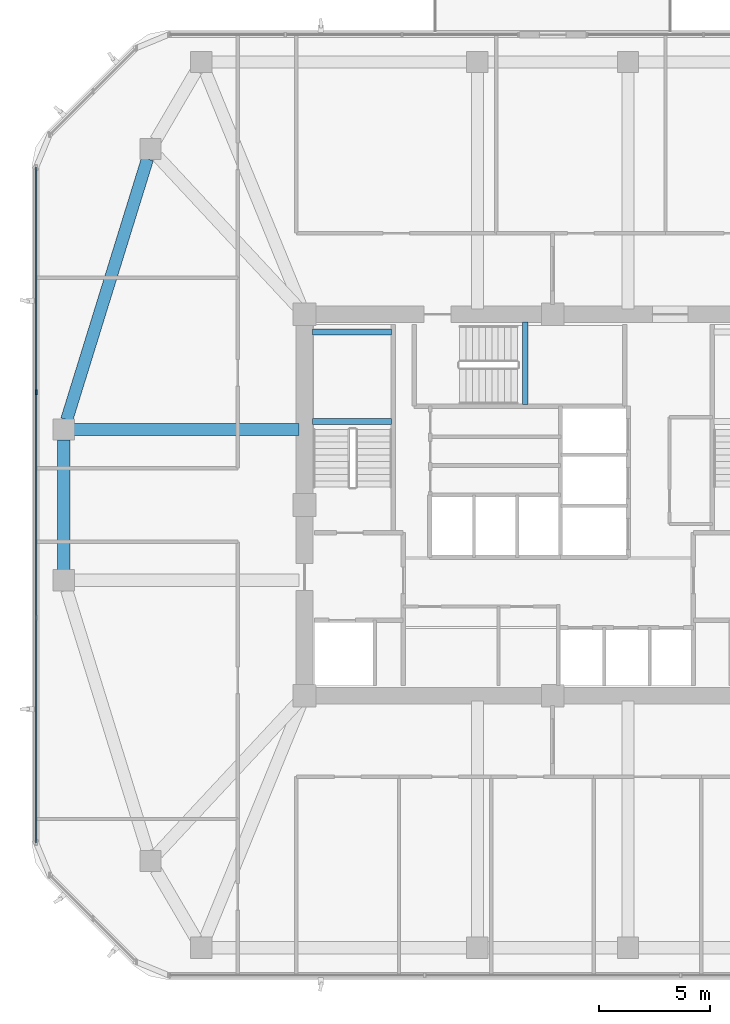
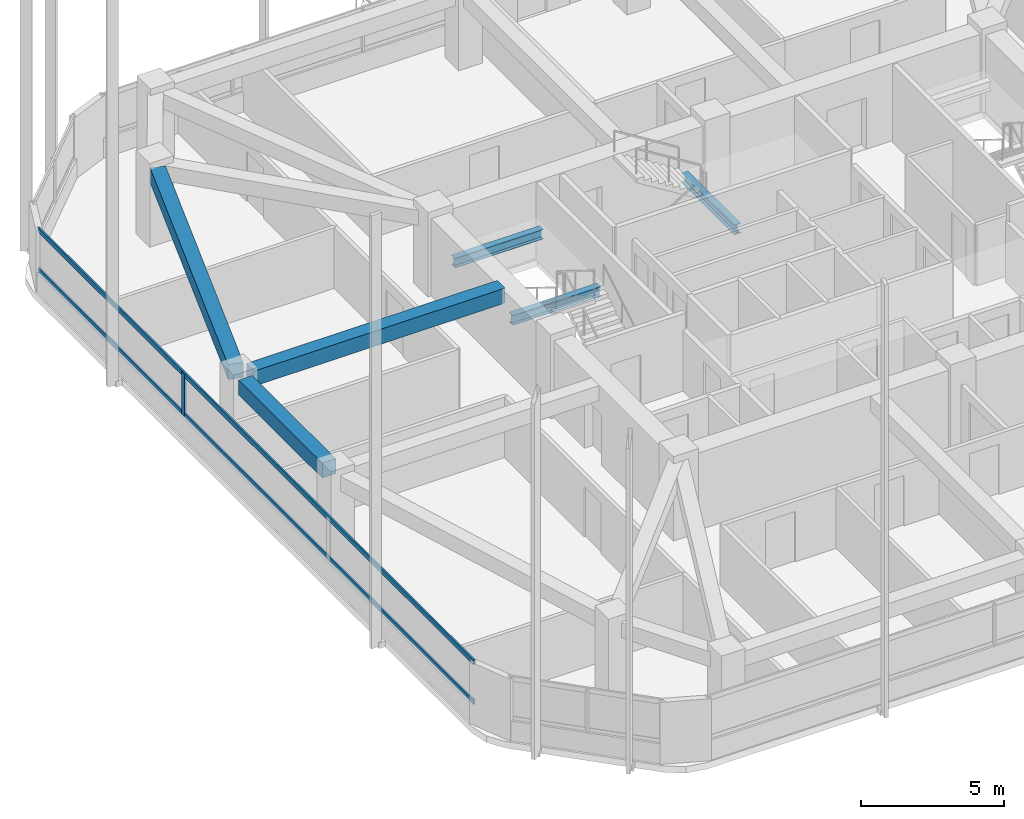
# One storey, part 3 of 14: 6 beams, 3 members, 1 element without a shape of its own.
"""IFC4 building model written with IfcOpenShell, lengths in metres."""

from ifc_helpers import new_model, si_unit, derived_unit, direction, frame, origin, origin_2d, place, context, subcontext, project, spatial, rectangle, i_section, extrude, material, material_profile, profile_set, type_object, element, aggregate, save


model = new_model("IFC4")

# Units and contexts
model_context = context("Model", 3, precision=1e-05, world=origin(), true_north=direction((0.0, 1.0)))
body_context = subcontext(model_context, "Body", "Model", "MODEL_VIEW")
ifc_project = project(units=[si_unit("LENGTHUNIT", "METRE"), si_unit("AREAUNIT", "SQUARE_METRE"), si_unit("VOLUMEUNIT", "CUBIC_METRE"), si_unit("PLANEANGLEUNIT", "RADIAN"), si_unit("MASSUNIT", "GRAM", prefix="KILO"), derived_unit("THERMALTRANSMITTANCEUNIT", [(si_unit("POWERUNIT", "WATT"), 1), (si_unit("LENGTHUNIT", "METRE"), -2), (si_unit("THERMODYNAMICTEMPERATUREUNIT", "KELVIN"), -1)])], contexts=[model_context])

# Site, building, storey
site_placement = place(None, origin())
site = spatial("IfcSite", under=ifc_project, at=site_placement, CompositionType="ELEMENT")
building_placement = place(site_placement, origin())
building = spatial("IfcBuilding", under=site, at=building_placement, Name="Koralith Skygarden Medical Center", CompositionType="ELEMENT")
storey_placement = place(building_placement, frame((0.0, 0.0, 174.419921875)))
storey = spatial("IfcBuildingStorey", under=building, at=storey_placement, Name="L45", CompositionType="ELEMENT", Elevation=174.419921875)

# Curtain wall, members
ifc_material_1 = material(Name="Clear Laminated Glass", Category="glass")
curtain_wall_type = type_object("IfcCurtainWallType", Name="CW-4 Zone 3 Waist High-Wind Curtain Wall", PredefinedType="NOTDEFINED", material=ifc_material_1)
curtain_wall_placement = place(storey_placement, origin())
curtain_wall = element("IfcCurtainWall", 1, at=curtain_wall_placement, inside=storey, type_object=curtain_wall_type, Name="Curtain Wall CW-L45-W", PredefinedType="NOTDEFINED")
ifc_material_2 = material(Name="Aluminium 6063-T6", Category="aluminium")
ifc_material_profile_1 = material_profile(ifc_material_2, rectangle(XDim=0.076904296875, YDim=0.22998046875, at=origin_2d()), Name="MUL77X230")
ifc_profile_set_1 = profile_set([ifc_material_profile_1], Name="Aluminium 6063-T6")
member_type_1 = type_object("IfcMemberType", Name="CW-4 Extruded Mullion 77x230", PredefinedType="MULLION", material=ifc_profile_set_1)
member_1_placement = place(storey_placement, frame((13.696044921875, 30.98193359375, 0.85009765625), z_axis=(0.0, 0.0, 1.0), x_axis=(1.0, 0.0, 0.0)))
member_1 = element("IfcMember", 2, at=member_1_placement, type_object=member_type_1, Name="CW-L45-W Mullion 2", PredefinedType="MULLION", context=body_context, shape_type="SweptSolid", body=[
    extrude(rectangle(XDim=0.076904296875, YDim=0.22998046875, at=origin_2d()), origin(), (0.0, 0.0, 1.0), 1.800048828125),
])
ifc_material_profile_2 = material_profile(ifc_material_2, rectangle(XDim=0.072021484375, YDim=0.20703125, at=origin_2d()), Name="TRN72X207")
ifc_profile_set_2 = profile_set([ifc_material_profile_2], Name="Aluminium 6063-T6")
member_type_2 = type_object("IfcMemberType", Name="CW-4 Thermal Transom 72x207", PredefinedType="USERDEFINED", material=ifc_profile_set_2)
member_2_placement = place(storey_placement, frame((13.696044921875, 41.14501953125, 0.900146484375), z_axis=(0.0, -1.0, 0.0), x_axis=(1.0, 0.0, 0.0)))
member_2 = element("IfcMember", 3, at=member_2_placement, type_object=member_type_2, Name="CW-L45-W Transom 1", ObjectType="TRANSOM", PredefinedType="USERDEFINED", context=body_context, shape_type="SweptSolid", body=[
    extrude(rectangle(XDim=0.072021484375, YDim=0.20703125, at=origin_2d()), origin(), (0.0, 0.0, 1.0), 30.489990234375),
])
member_3_placement = place(storey_placement, frame((13.696044921875, 41.14501953125, 2.60009765625), z_axis=(0.0, -1.0, 0.0), x_axis=(1.0, 0.0, 0.0)))
member_3 = element("IfcMember", 4, at=member_3_placement, type_object=member_type_2, Name="CW-L45-W Transom 2", ObjectType="TRANSOM", PredefinedType="USERDEFINED", context=body_context, shape_type="SweptSolid", body=[
    extrude(rectangle(XDim=0.072021484375, YDim=0.20703125, at=origin_2d()), origin(), (0.0, 0.0, 1.0), 30.489990234375),
])
aggregate(curtain_wall, [member_1, member_2, member_3])

# Beams
ifc_material_3 = material(Name="Steel ASTM A992 Grade 50", Category="steel")
ifc_material_profile_3 = material_profile(ifc_material_3, i_section(OverallWidth=0.260009765625, OverallDepth=0.4150390625, WebThickness=0.010009765625, FlangeThickness=0.016845703125, at=origin_2d()), Name="W16X67")
ifc_profile_set_3 = profile_set([ifc_material_profile_3], Name="Steel ASTM A992 Grade 50")
beam_type_1 = type_object("IfcBeamType", Name="Clinical Floor Joist W16X67", PredefinedType="JOIST", material=ifc_profile_set_3)
for number, where, z_axis, x_axis, name in (
    (5, (26.155029296875, 29.659912109375, 1.39208984375), (1.0, 0.0, 0.0), (0.0, 1.0, 0.0), "L45 Stair ST1 Half-Landing Support Beam 1A"),
    (6, (26.155029296875, 33.699951171875, 1.39208984375), (1.0, 0.0, 0.0), (0.0, 1.0, 0.0), "L45 Stair ST1 Half-Landing Support Beam 1B"),
):
    element("IfcBeam", number, at=place(storey_placement, frame(where, z_axis=z_axis, x_axis=x_axis)), inside=storey, type_object=beam_type_1, Name=name, PredefinedType="JOIST", context=body_context, shape_type="SweptSolid", body=[
        extrude(i_section(OverallWidth=0.260009765625, OverallDepth=0.4150390625, WebThickness=0.010009765625, FlangeThickness=0.016845703125, at=origin_2d()), origin(), (0.0, 0.0, 1.0), 3.56494140625),
    ])
beam_1_placement = place(storey_placement, frame((35.760009765625, 30.43994140625, 1.39208984375), z_axis=(0.0, 1.0, 0.0), x_axis=(-1.0, 0.0, 0.0)))
element("IfcBeam", 7, at=beam_1_placement, inside=storey, type_object=beam_type_1, Name="L45 Stair ST3 Half-Landing Support Beam 1A", PredefinedType="JOIST", context=body_context, shape_type="SweptSolid", body=[
    extrude(i_section(OverallWidth=0.260009765625, OverallDepth=0.4150390625, WebThickness=0.010009765625, FlangeThickness=0.016845703125, at=origin_2d()), origin(), (0.0, 0.0, 1.0), 3.705078125),
])
ifc_material_4 = material(Name="Concrete C45/55", Category="concrete")
ifc_material_profile_4 = material_profile(ifc_material_4, rectangle(XDim=0.550048828125, YDim=0.639892578125, at=origin_2d()), Name="RCB550X640")
ifc_profile_set_4 = profile_set([ifc_material_profile_4], Name="Concrete C45/55")
beam_type_2 = type_object("IfcBeamType", Name="Radial Collector Beam RCB550X640", PredefinedType="BEAM", material=ifc_profile_set_4)
beam_2_placement = place(storey_placement, frame((25.550048828125, 29.300048828125, 2.97998046875), z_axis=(-1.0, 0.0, 0.0), x_axis=(0.0, -1.0, 0.0)))
element("IfcBeam", 8, at=beam_2_placement, inside=storey, type_object=beam_type_2, Name="L45 Radial Collector Beam RB-16", PredefinedType="BEAM", context=body_context, shape_type="SweptSolid", body=[
    extrude(rectangle(XDim=0.550048828125, YDim=0.639892578125, at=origin_2d()), origin(), (0.0, 0.0, 1.0), 10.14404296875),
])
ifc_material_profile_5 = material_profile(ifc_material_4, rectangle(XDim=0.550048828125, YDim=0.639892578125, at=origin_2d()), Name="RCB550X640")
ifc_profile_set_5 = profile_set([ifc_material_profile_5], Name="Concrete C45/55")
beam_type_3 = type_object("IfcBeamType", Name="Zone 2-3 Spandrel Beam RCB550X640", PredefinedType="SPANDREL", material=ifc_profile_set_5)
beam_3_placement = place(storey_placement, frame((18.717041015625, 41.510986328125, 2.97998046875), z_axis=(-0.295793585147, -0.955251880389, 0.0), x_axis=(0.955251880389, -0.295793585147, 0.0)))
element("IfcBeam", 9, at=beam_3_placement, inside=storey, type_object=beam_type_3, Name="L45 Perimeter Spandrel Beam SP-15", PredefinedType="SPANDREL", context=body_context, shape_type="SweptSolid", body=[
    extrude(rectangle(XDim=0.550048828125, YDim=0.639892578125, at=origin_2d()), origin(), (0.0, 0.0, 1.0), 12.31298828125),
])
beam_4_placement = place(storey_placement, frame((14.93603515625, 28.830078125, 2.97998046875), z_axis=(0.0, -1.0, 0.0), x_axis=(1.0, 0.0, 0.0)))
element("IfcBeam", 10, at=beam_4_placement, inside=storey, type_object=beam_type_3, Name="L45 Perimeter Spandrel Beam SP-16", PredefinedType="SPANDREL", context=body_context, shape_type="SweptSolid", body=[
    extrude(rectangle(XDim=0.550048828125, YDim=0.639892578125, at=origin_2d()), origin(), (0.0, 0.0, 1.0), 5.860107421875),
])

save(model, "model.ifc")
